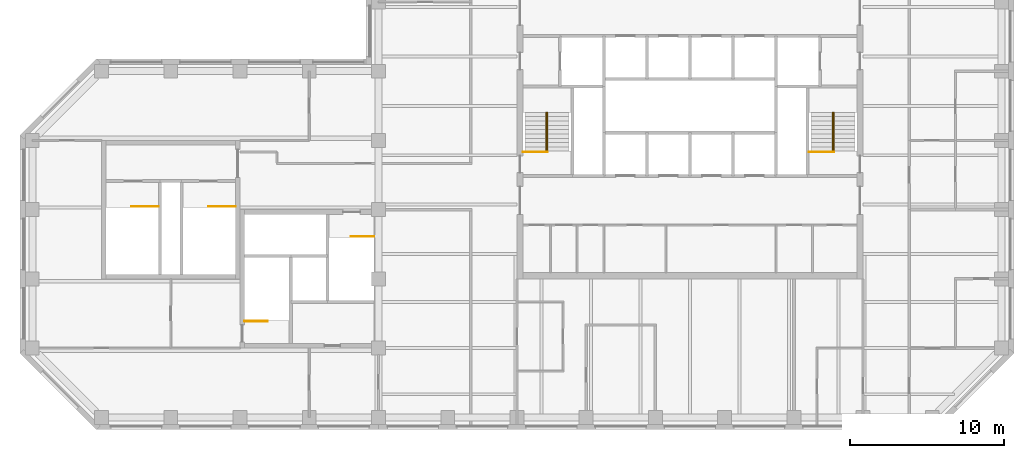
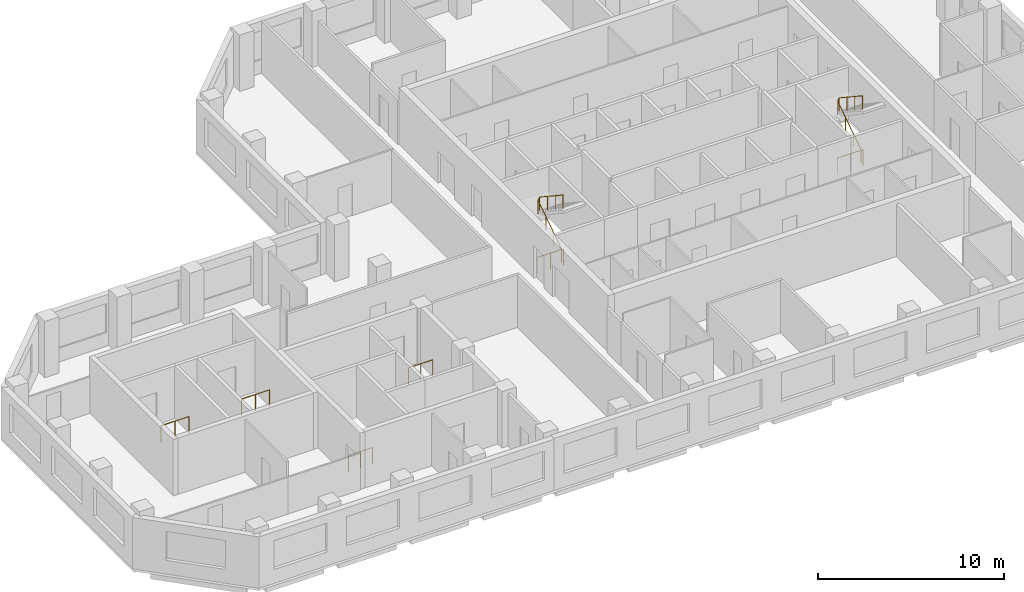
# One storey, part 9 of 9: 8 railings.
"""IFC4 building model written with IfcOpenShell, lengths in metres."""

from ifc_helpers import new_model, si_unit, direction, frame, origin, origin_2d, place, context, subcontext, project, spatial, circle, extrude, material, type_object, element, save


model = new_model("IFC4")

# Units and contexts
model_context = context("Model", 3, precision=1e-05, world=origin(), true_north=direction((0.0, 1.0)))
body_context = subcontext(model_context, "Body", "Model", "MODEL_VIEW")
ifc_project = project(units=[si_unit("LENGTHUNIT", "METRE"), si_unit("AREAUNIT", "SQUARE_METRE"), si_unit("VOLUMEUNIT", "CUBIC_METRE"), si_unit("PLANEANGLEUNIT", "RADIAN"), si_unit("MASSUNIT", "GRAM", prefix="KILO")], contexts=[model_context])

# Site, building, storey
site_placement = place(None, origin())
site = spatial("IfcSite", under=ifc_project, at=site_placement, CompositionType="ELEMENT")
building_placement = place(site_placement, origin())
building = spatial("IfcBuilding", under=site, at=building_placement, Name="Quoin Convention Tower", CompositionType="ELEMENT")
storey_placement = place(building_placement, frame((0.0, 0.0, 260.0)))
storey = spatial("IfcBuildingStorey", under=building, at=storey_placement, Name="L68", CompositionType="ELEMENT", Elevation=260.0)

# Railings
ifc_material = material(Name="Stainless steel", Category="steel")
railing_type_1 = type_object("IfcRailingType", Name="Stair handrail 900", PredefinedType="HANDRAIL", material=ifc_material)
for number, where, name in (
    (1, (46.905029296875, 57.800048828125, 0.18505859375), "SD1 handrail 1"),
    (2, (65.5048828125, 57.800048828125, 0.18505859375), "SD2 handrail 1"),
):
    element("IfcRailing", number, at=place(storey_placement, frame(where)), inside=storey, type_object=railing_type_1, Name=name, PredefinedType="HANDRAIL", context=body_context, shape_type="SweptSolid", body=[
        extrude(circle(Radius=0.02392578125, at=origin_2d()), frame((0.0, 0.0, 0.8759765625), z_axis=(0.0, 0.834331337432, 0.55126329406), x_axis=(-1.0, 0.0, 0.0)), (0.0, 0.0, 1.0), 3.0205078125),
        extrude(circle(Radius=0.02392578125, at=origin_2d()), frame((0.0, 2.52001953125, 2.541015625), z_axis=(0.438166268278, 0.0, 0.898893943323), x_axis=(0.0, 1.0, 0.0)), (0.0, 0.0, 1.0), 0.20556640625),
        extrude(circle(Radius=0.02392578125, at=origin_2d()), frame((0.090087890625, 2.52001953125, 2.7255859375), z_axis=(0.0, -0.834331337432, 0.55126329406), x_axis=(1.0, 0.0, 0.0)), (0.0, 0.0, 1.0), 3.0205078125),
        extrude(circle(Radius=0.02099609375, at=origin_2d()), origin(), (0.0, 0.0, 1.0), 0.851806640625),
        extrude(circle(Radius=0.02099609375, at=origin_2d()), frame((0.0, 0.840087890625, 0.554931640625)), (0.0, 0.0, 1.0), 0.851806640625),
        extrude(circle(Radius=0.02099609375, at=origin_2d()), frame((0.0, 1.679931640625, 1.110107421875)), (0.0, 0.0, 1.0), 0.851806640625),
        extrude(circle(Radius=0.02099609375, at=origin_2d()), frame((0.0, 2.52001953125, 1.6650390625)), (0.0, 0.0, 1.0), 0.851806640625),
        extrude(circle(Radius=0.02099609375, at=origin_2d()), frame((0.090087890625, 2.52001953125, 1.849853515625)), (0.0, 0.0, 1.0), 0.851806640625),
        extrude(circle(Radius=0.02099609375, at=origin_2d()), frame((0.090087890625, 1.679931640625, 2.40478515625)), (0.0, 0.0, 1.0), 0.851806640625),
        extrude(circle(Radius=0.02099609375, at=origin_2d()), frame((0.090087890625, 0.840087890625, 2.9599609375)), (0.0, 0.0, 1.0), 0.851806640625),
        extrude(circle(Radius=0.02099609375, at=origin_2d()), frame((0.090087890625, 0.0, 3.514892578125)), (0.0, 0.0, 1.0), 0.851806640625),
    ])
railing_type_2 = type_object("IfcRailingType", Name="Stair top guard 1100", PredefinedType="GUARDRAIL", material=ifc_material)
railing_1_placement = place(storey_placement, frame((45.39990234375, 57.75, 0.0)))
element("IfcRailing", 3, at=railing_1_placement, inside=storey, type_object=railing_type_2, Name="SD1 top guard", PredefinedType="GUARDRAIL", context=body_context, shape_type="SweptSolid", body=[
    extrude(circle(Radius=0.02392578125, at=origin_2d()), frame((0.0, 0.0, 1.076171875), z_axis=(1.0, 0.0, 0.0), x_axis=(0.0, 1.0, 0.0)), (0.0, 0.0, 1.0), 1.59521484375),
    extrude(circle(Radius=0.02099609375, at=origin_2d()), origin(), (0.0, 0.0, 1.0), 1.052001953125),
    extrude(circle(Radius=0.02099609375, at=origin_2d()), frame((0.797607421875, 0.0, 0.0)), (0.0, 0.0, 1.0), 1.052001953125),
    extrude(circle(Radius=0.02099609375, at=origin_2d()), frame((1.59521484375, 0.0, 0.0)), (0.0, 0.0, 1.0), 1.052001953125),
])
railing_2_placement = place(storey_placement, frame((64.0, 57.75, 0.0)))
element("IfcRailing", 4, at=railing_2_placement, inside=storey, type_object=railing_type_2, Name="SD2 top guard", PredefinedType="GUARDRAIL", context=body_context, shape_type="SweptSolid", body=[
    extrude(circle(Radius=0.02392578125, at=origin_2d()), frame((0.0, 0.0, 1.076171875), z_axis=(1.0, 0.0, 0.0), x_axis=(0.0, 1.0, 0.0)), (0.0, 0.0, 1.0), 1.594970703125),
    extrude(circle(Radius=0.02099609375, at=origin_2d()), origin(), (0.0, 0.0, 1.0), 1.052001953125),
    extrude(circle(Radius=0.02099609375, at=origin_2d()), frame((0.79736328125, 0.0, 0.0)), (0.0, 0.0, 1.0), 1.052001953125),
    extrude(circle(Radius=0.02099609375, at=origin_2d()), frame((1.594970703125, 0.0, 0.0)), (0.0, 0.0, 1.0), 1.052001953125),
])
railing_3_placement = place(storey_placement, frame((27.300048828125, 46.75, 0.0)))
element("IfcRailing", 5, at=railing_3_placement, inside=storey, type_object=railing_type_2, Name="SD3 top guard", PredefinedType="GUARDRAIL", context=body_context, shape_type="SweptSolid", body=[
    extrude(circle(Radius=0.02392578125, at=origin_2d()), frame((0.0, 0.0, 1.076171875), z_axis=(1.0, 0.0, 0.0), x_axis=(0.0, 1.0, 0.0)), (0.0, 0.0, 1.0), 1.494873046875),
    extrude(circle(Radius=0.02099609375, at=origin_2d()), origin(), (0.0, 0.0, 1.0), 1.052001953125),
    extrude(circle(Radius=0.02099609375, at=origin_2d()), frame((0.74755859375, 0.0, 0.0)), (0.0, 0.0, 1.0), 1.052001953125),
    extrude(circle(Radius=0.02099609375, at=origin_2d()), frame((1.494873046875, 0.0, 0.0)), (0.0, 0.0, 1.0), 1.052001953125),
])
railing_4_placement = place(storey_placement, frame((35.699951171875, 52.25, 0.0)))
element("IfcRailing", 6, at=railing_4_placement, inside=storey, type_object=railing_type_2, Name="SD4 top guard", PredefinedType="GUARDRAIL", context=body_context, shape_type="SweptSolid", body=[
    extrude(circle(Radius=0.02392578125, at=origin_2d()), frame((0.0, 0.0, 1.076171875), z_axis=(-1.0, 0.0, 0.0), x_axis=(0.0, -1.0, 0.0)), (0.0, 0.0, 1.0), 1.494873046875),
    extrude(circle(Radius=0.02099609375, at=origin_2d()), origin(), (0.0, 0.0, 1.0), 1.052001953125),
    extrude(circle(Radius=0.02099609375, at=origin_2d()), frame((-0.74755859375, 0.0, 0.0)), (0.0, 0.0, 1.0), 1.052001953125),
    extrude(circle(Radius=0.02099609375, at=origin_2d()), frame((-1.494873046875, 0.0, 0.0)), (0.0, 0.0, 1.0), 1.052001953125),
])
for number, where, name in (
    (7, (21.699951171875, 54.199951171875, 0.0), "SD11 top guard"),
    (8, (26.699951171875, 54.199951171875, 0.0), "SD12 top guard"),
):
    element("IfcRailing", number, at=place(storey_placement, frame(where)), inside=storey, type_object=railing_type_2, Name=name, PredefinedType="GUARDRAIL", context=body_context, shape_type="SweptSolid", body=[
        extrude(circle(Radius=0.02392578125, at=origin_2d()), frame((0.0, 0.0, 1.076171875), z_axis=(-1.0, 0.0, 0.0), x_axis=(0.0, -1.0, 0.0)), (0.0, 0.0, 1.0), 1.744873046875),
        extrude(circle(Radius=0.02099609375, at=origin_2d()), origin(), (0.0, 0.0, 1.0), 1.052001953125),
        extrude(circle(Radius=0.02099609375, at=origin_2d()), frame((-0.87255859375, 0.0, 0.0)), (0.0, 0.0, 1.0), 1.052001953125),
        extrude(circle(Radius=0.02099609375, at=origin_2d()), frame((-1.744873046875, 0.0, 0.0)), (0.0, 0.0, 1.0), 1.052001953125),
    ])

save(model, "model.ifc")
